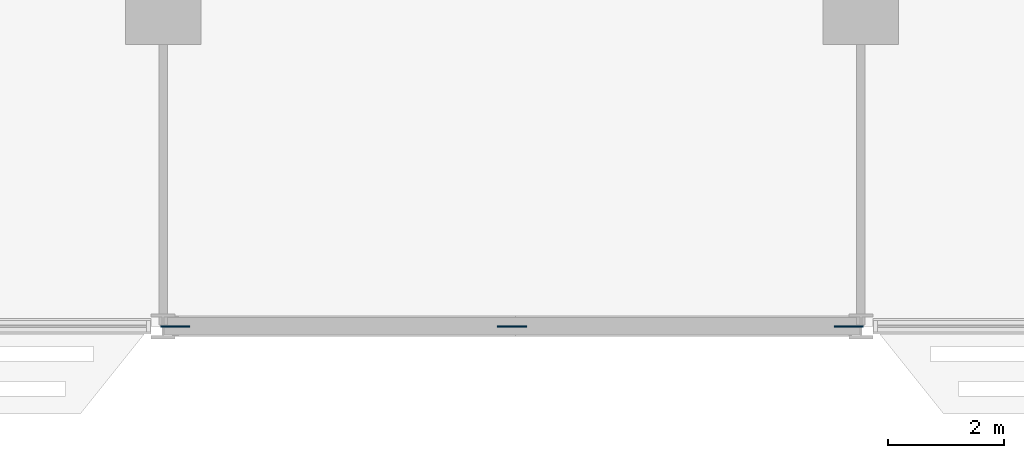
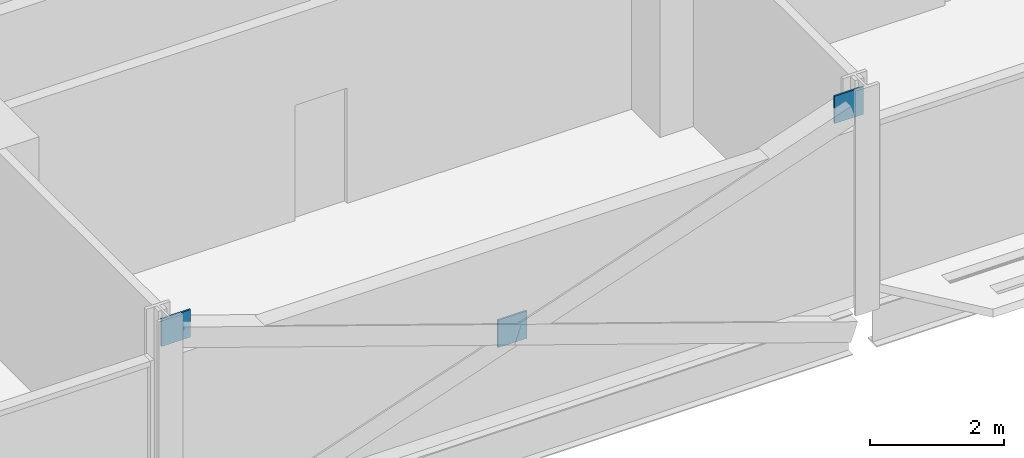
# One storey, part 20 of 28: 3 discrete accessories.
"""IFC4 building model written with IfcOpenShell, lengths in metres."""

from ifc_helpers import new_model, si_unit, direction, frame, origin, origin_2d, place, context, subcontext, project, spatial, rectangle, extrude, material, layer, layer_set, type_object, element, save


model = new_model("IFC4")

# Units and contexts
model_context = context("Model", 3, precision=1e-05, world=origin(), true_north=direction((0.0, 1.0)))
body_context = subcontext(model_context, "Body", "Model", "MODEL_VIEW")
ifc_project = project(units=[si_unit("LENGTHUNIT", "METRE"), si_unit("AREAUNIT", "SQUARE_METRE"), si_unit("VOLUMEUNIT", "CUBIC_METRE"), si_unit("PLANEANGLEUNIT", "RADIAN"), si_unit("MASSUNIT", "GRAM", prefix="KILO")], contexts=[model_context])

# Site, building, storey
site_placement = place(None, origin())
site = spatial("IfcSite", under=ifc_project, at=site_placement, CompositionType="ELEMENT")
building_placement = place(site_placement, origin())
building = spatial("IfcBuilding", under=site, at=building_placement, Name="Mahtab Terrace Research Tower", CompositionType="ELEMENT")
storey_placement = place(building_placement, frame((0.0, 0.0, 134.300048828125)))
storey = spatial("IfcBuildingStorey", under=building, at=storey_placement, Name="L31", CompositionType="ELEMENT", Elevation=134.300048828125)

# Discrete accessories
ifc_material = material(Name="Steel ASTM A992 Gr 50", Category="steel")
ifc_layer = layer(ifc_material, 0.030029296875)
ifc_layer_set = layer_set([ifc_layer], Name="Gusset plate 500x500x30")
discrete_accessory_type = type_object("IfcDiscreteAccessoryType", Name="Gusset plate 500x500x30", PredefinedType="USERDEFINED", material=ifc_layer_set)
for number, where, z_axis, x_axis, name in (
    (1, (-5.794189453125, -17.0, 3.131591796875), (0.0, 0.0, 1.0), (1.0, 0.0, 0.0), "Gusset plate"),
    (2, (0.0, -17.0, 1.08154296875), (0.0, 0.0, 1.0), (1.0, 0.0, 0.0), "Gusset plate"),
    (3, (5.794189453125, -17.0, 3.131591796875), (0.0, 0.0, 1.0), (1.0, 0.0, 0.0), "Gusset plate"),
):
    element("IfcDiscreteAccessory", number, at=place(storey_placement, frame(where, z_axis=z_axis, x_axis=x_axis)), inside=storey, type_object=discrete_accessory_type, Name=name, ObjectType="GUSSET PLATE", PredefinedType="USERDEFINED", context=body_context, shape_type="SweptSolid", body=[
        extrude(rectangle(XDim=0.5, YDim=0.030029296875, at=origin_2d()), origin(), (0.0, 0.0, 1.0), 0.5),
    ])

save(model, "model.ifc")
